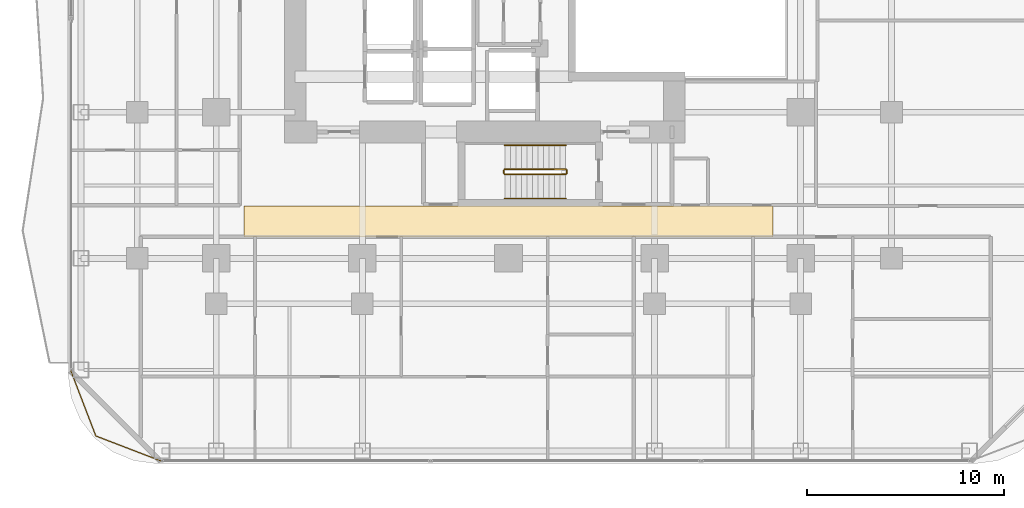
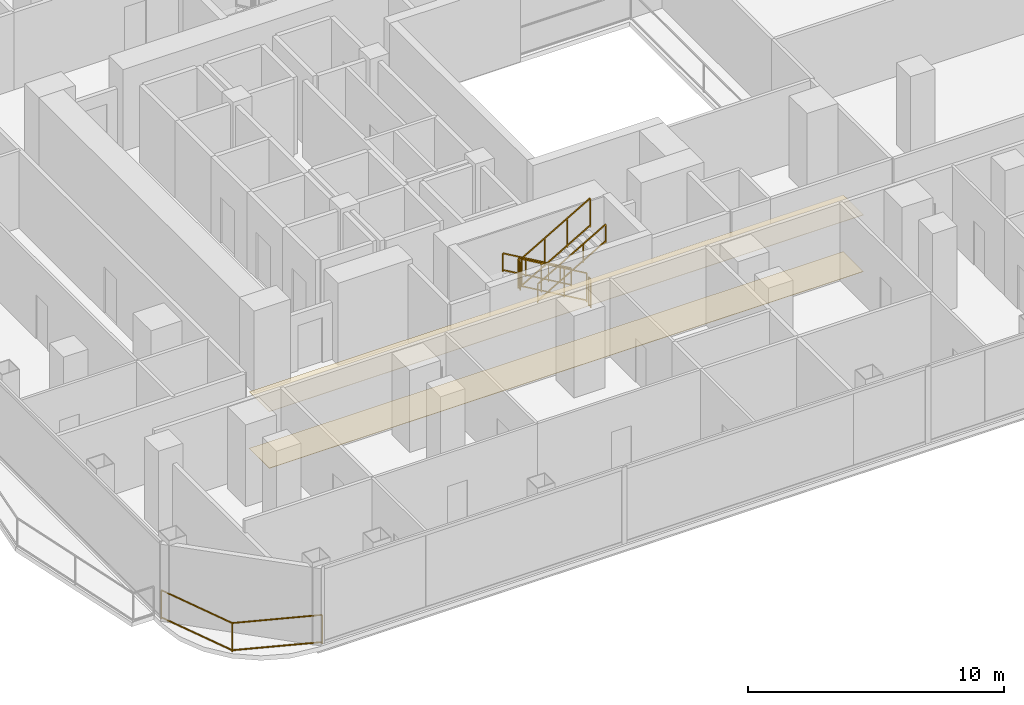
# One storey, part 25 of 27: 7 railings, 2 coverings.
"""IFC4 building model written with IfcOpenShell, lengths in metres."""

from ifc_helpers import new_model, si_unit, direction, frame, origin, origin_2d, place, context, subcontext, project, spatial, polyline, rectangle, outline, extrude, material, layer, layer_set, type_object, element, save


model = new_model("IFC4")

# Units and contexts
model_context = context("Model", 3, precision=1e-05, world=origin(), true_north=direction((0.0, 1.0)))
body_context = subcontext(model_context, "Body", "Model", "MODEL_VIEW")
ifc_project = project(units=[si_unit("LENGTHUNIT", "METRE"), si_unit("AREAUNIT", "SQUARE_METRE"), si_unit("VOLUMEUNIT", "CUBIC_METRE"), si_unit("PLANEANGLEUNIT", "RADIAN"), si_unit("MASSUNIT", "GRAM", prefix="KILO")], contexts=[model_context])

# Site, building, storey
site_placement = place(None, origin())
site = spatial("IfcSite", under=ifc_project, at=site_placement, CompositionType="ELEMENT")
building_placement = place(site_placement, origin())
building = spatial("IfcBuilding", under=site, at=building_placement, Name="Khorvyn Point Tower", CompositionType="ELEMENT")
storey_placement = place(building_placement, frame((0.0, 0.0, 46.199951171875)))
storey = spatial("IfcBuildingStorey", under=building, at=storey_placement, Name="L12", CompositionType="ELEMENT", Elevation=46.199951171875)

# Railing
ifc_material_1 = material(Name="Anodised aluminium 6063-T6 and laminated safety glass", Category="aluminium")
railing_type_1 = type_object("IfcRailingType", Name="Laminated Glass and Aluminium Balcony Guardrail 1400", PredefinedType="BALUSTRADE", material=ifc_material_1)
railing_1_placement = place(storey_placement, frame((-22.174072265625, -20.470703125, 0.0)))
element("IfcRailing", 1, at=railing_1_placement, inside=storey, type_object=railing_type_1, Name="L12 Rounded Corner Edge Guardrail SW", PredefinedType="BALUSTRADE", context=body_context, shape_type="SweptSolid", body=[
    extrude(rectangle(XDim=0.048095703125, YDim=0.048095703125, at=origin_2d()), frame((0.0, 0.0, 1.3759765625), z_axis=(0.358359142172, -0.933583807283, 0.0), x_axis=(0.933583807283, 0.358359142172, 0.0)), (0.0, 0.0, 1.0), 3.56298828125),
    extrude(rectangle(XDim=0.048095703125, YDim=0.048095703125, at=origin_2d()), frame((0.0, 0.0, 0.080078125), z_axis=(0.358359142172, -0.933583807283, 0.0), x_axis=(0.933583807283, 0.358359142172, 0.0)), (0.0, 0.0, 1.0), 3.56298828125),
    extrude(rectangle(XDim=0.048095703125, YDim=0.048095703125, at=origin_2d()), frame((1.27685546875, -3.326416015625, 1.3759765625), z_axis=(0.933583807283, -0.358359142172, 0.0), x_axis=(0.358359142172, 0.933583807283, 0.0)), (0.0, 0.0, 1.0), 3.56298828125),
    extrude(rectangle(XDim=0.048095703125, YDim=0.048095703125, at=origin_2d()), frame((1.27685546875, -3.326416015625, 0.080078125), z_axis=(0.933583807283, -0.358359142172, 0.0), x_axis=(0.358359142172, 0.933583807283, 0.0)), (0.0, 0.0, 1.0), 3.56298828125),
    extrude(rectangle(XDim=0.0419921875, YDim=0.0419921875, at=origin_2d()), origin(), (0.0, 0.0, 1.0), 1.351806640625),
    extrude(rectangle(XDim=0.0419921875, YDim=0.0419921875, at=origin_2d()), frame((1.27685546875, -3.326416015625, 0.0)), (0.0, 0.0, 1.0), 1.351806640625),
    extrude(rectangle(XDim=0.0419921875, YDim=0.0419921875, at=origin_2d()), frame((4.603271484375, -4.603271484375, 0.0)), (0.0, 0.0, 1.0), 1.351806640625),
])

# Coverings
ifc_material_2 = material(Name="Mineral-fibre acoustic ceiling board", Category="gypsum")
ifc_layer_1 = layer(ifc_material_2, 0.02001953125)
ifc_layer_set_1 = layer_set([ifc_layer_1], Name="Perforated Mineral-Fibre Acoustic Suspended Ceiling 20")
covering_type_1 = type_object("IfcCoveringType", Name="Perforated Mineral-Fibre Acoustic Suspended Ceiling 20", PredefinedType="CEILING", material=ifc_layer_set_1)
covering_1_placement = place(storey_placement, frame((0.0, 0.0, 2.699951171875)))
element("IfcCovering", 2, at=covering_1_placement, inside=storey, type_object=covering_type_1, Name="L12 South Corridor Acoustic Ceiling", PredefinedType="CEILING", context=body_context, shape_type="SweptSolid", body=[
    extrude(outline(polyline([(-13.39990234375, -13.7099609375), (13.39990234375, -13.7099609375), (13.39990234375, -12.139892578125), (-13.39990234375, -12.139892578125), (-13.39990234375, -13.7099609375)])), origin(), (0.0, 0.0, 1.0), 0.02001953125),
])
ifc_material_3 = material(Name="Vitrified porcelain terrazzo tile", Category="ceramic")
ifc_layer_2 = layer(ifc_material_3, 0.01806640625)
ifc_layer_set_2 = layer_set([ifc_layer_2], Name="Porcelain Terrazzo Corridor Floor Finish Tile 18")
covering_type_2 = type_object("IfcCoveringType", Name="Porcelain Terrazzo Corridor Floor Finish Tile 18", PredefinedType="FLOORING", material=ifc_layer_set_2)
covering_2_placement = place(storey_placement, origin())
element("IfcCovering", 3, at=covering_2_placement, inside=storey, type_object=covering_type_2, Name="L12 South Corridor Terrazzo Flooring", PredefinedType="FLOORING", context=body_context, shape_type="SweptSolid", body=[
    extrude(outline(polyline([(-13.39990234375, -13.7099609375), (13.39990234375, -13.7099609375), (13.39990234375, -12.139892578125), (-13.39990234375, -12.139892578125), (-13.39990234375, -13.7099609375)])), origin(), (0.0, 0.0, 1.0), 0.01806640625),
])

# Railings
ifc_material_4 = material(Name="Stainless steel 1.4301", Category="steel")
railing_type_2 = type_object("IfcRailingType", Name="Stainless Steel 304 Stair Pitch Handrail 900", PredefinedType="HANDRAIL", material=ifc_material_4)
railing_2_placement = place(storey_placement, frame((2.89990234375, -9.070068359375, 0.16259765625)))
element("IfcRailing", 4, at=railing_2_placement, inside=storey, type_object=railing_type_2, Name="L12 ST-01 stair handrail 1", PredefinedType="HANDRAIL", context=body_context, shape_type="SweptSolid", body=[
    extrude(rectangle(XDim=0.048095703125, YDim=0.048095703125, at=origin_2d()), frame((0.0, 0.0, 0.8759765625), z_axis=(-0.864903211148, 0.0, 0.501938676878), x_axis=(0.0, -1.0, 0.0)), (0.0, 0.0, 1.0), 3.560791015625),
    extrude(rectangle(XDim=0.048095703125, YDim=0.048095703125, at=origin_2d()), frame((0.0, 0.0, 0.080078125), z_axis=(-0.864903211148, 0.0, 0.501938676878), x_axis=(0.0, -1.0, 0.0)), (0.0, 0.0, 1.0), 3.560791015625),
    extrude(rectangle(XDim=0.0419921875, YDim=0.0419921875, at=origin_2d()), origin(), (0.0, 0.0, 1.0), 0.851806640625),
    extrude(rectangle(XDim=0.0419921875, YDim=0.0419921875, at=origin_2d()), frame((-1.026611328125, 0.0, 0.595703125)), (0.0, 0.0, 1.0), 0.851806640625),
    extrude(rectangle(XDim=0.0419921875, YDim=0.0419921875, at=origin_2d()), frame((-2.05322265625, 0.0, 1.191650390625)), (0.0, 0.0, 1.0), 0.851806640625),
    extrude(rectangle(XDim=0.0419921875, YDim=0.0419921875, at=origin_2d()), frame((-3.079833984375, 0.0, 1.787353515625)), (0.0, 0.0, 1.0), 0.851806640625),
])
railing_3_placement = place(storey_placement, frame((-0.179931640625, -11.77001953125, 2.112548828125)))
element("IfcRailing", 5, at=railing_3_placement, inside=storey, type_object=railing_type_2, Name="L12 ST-01 stair handrail 2", PredefinedType="HANDRAIL", context=body_context, shape_type="SweptSolid", body=[
    extrude(rectangle(XDim=0.048095703125, YDim=0.048095703125, at=origin_2d()), frame((0.0, 0.0, 0.8759765625), z_axis=(0.864873446163, 0.0, 0.501989962173), x_axis=(0.0, 1.0, 0.0)), (0.0, 0.0, 1.0), 3.56103515625),
    extrude(rectangle(XDim=0.048095703125, YDim=0.048095703125, at=origin_2d()), frame((0.0, 0.0, 0.080078125), z_axis=(0.864873446163, 0.0, 0.501989962173), x_axis=(0.0, 1.0, 0.0)), (0.0, 0.0, 1.0), 3.56103515625),
    extrude(rectangle(XDim=0.0419921875, YDim=0.0419921875, at=origin_2d()), origin(), (0.0, 0.0, 1.0), 0.851806640625),
    extrude(rectangle(XDim=0.0419921875, YDim=0.0419921875, at=origin_2d()), frame((1.026611328125, 0.0, 0.595947265625)), (0.0, 0.0, 1.0), 0.851806640625),
    extrude(rectangle(XDim=0.0419921875, YDim=0.0419921875, at=origin_2d()), frame((2.05322265625, 0.0, 1.191650390625)), (0.0, 0.0, 1.0), 0.851806640625),
    extrude(rectangle(XDim=0.0419921875, YDim=0.0419921875, at=origin_2d()), frame((3.079833984375, 0.0, 1.78759765625)), (0.0, 0.0, 1.0), 0.851806640625),
])
railing_type_3 = type_object("IfcRailingType", Name="Stainless Steel 304 Stair Well Guardrail 1400", PredefinedType="GUARDRAIL", material=ifc_material_4)
railing_4_placement = place(storey_placement, frame((2.89990234375, -10.2900390625, 0.16259765625)))
element("IfcRailing", 6, at=railing_4_placement, inside=storey, type_object=railing_type_3, Name="L12 ST-01 stair guard 1", PredefinedType="GUARDRAIL", context=body_context, shape_type="SweptSolid", body=[
    extrude(rectangle(XDim=0.048095703125, YDim=0.048095703125, at=origin_2d()), frame((0.0, 0.0, 1.3759765625), z_axis=(-0.864903211148, 0.0, 0.501938676878), x_axis=(0.0, -1.0, 0.0)), (0.0, 0.0, 1.0), 3.560791015625),
    extrude(rectangle(XDim=0.048095703125, YDim=0.048095703125, at=origin_2d()), frame((0.0, 0.0, 0.080078125), z_axis=(-0.864903211148, 0.0, 0.501938676878), x_axis=(0.0, -1.0, 0.0)), (0.0, 0.0, 1.0), 3.560791015625),
    extrude(rectangle(XDim=0.0419921875, YDim=0.0419921875, at=origin_2d()), origin(), (0.0, 0.0, 1.0), 1.351806640625),
    extrude(rectangle(XDim=0.0419921875, YDim=0.0419921875, at=origin_2d()), frame((-1.026611328125, 0.0, 0.595703125)), (0.0, 0.0, 1.0), 1.351806640625),
    extrude(rectangle(XDim=0.0419921875, YDim=0.0419921875, at=origin_2d()), frame((-2.05322265625, 0.0, 1.191650390625)), (0.0, 0.0, 1.0), 1.351806640625),
    extrude(rectangle(XDim=0.0419921875, YDim=0.0419921875, at=origin_2d()), frame((-3.079833984375, 0.0, 1.787353515625)), (0.0, 0.0, 1.0), 1.351806640625),
])
railing_5_placement = place(storey_placement, frame((-0.22998046875, -10.340087890625, 1.949951171875)))
element("IfcRailing", 7, at=railing_5_placement, inside=storey, type_object=railing_type_3, Name="L12 ST-01 stair guard 2", PredefinedType="GUARDRAIL", context=body_context, shape_type="SweptSolid", body=[
    extrude(rectangle(XDim=0.048095703125, YDim=0.048095703125, at=origin_2d()), frame((0.0, 0.0, 1.3759765625), z_axis=(0.0, -1.0, 0.0), x_axis=(1.0, 0.0, 0.0)), (0.0, 0.0, 1.0), 0.159912109375),
    extrude(rectangle(XDim=0.048095703125, YDim=0.048095703125, at=origin_2d()), frame((0.0, 0.0, 0.080078125), z_axis=(0.0, -1.0, 0.0), x_axis=(1.0, 0.0, 0.0)), (0.0, 0.0, 1.0), 0.159912109375),
    extrude(rectangle(XDim=0.0419921875, YDim=0.0419921875, at=origin_2d()), origin(), (0.0, 0.0, 1.0), 1.351806640625),
    extrude(rectangle(XDim=0.0419921875, YDim=0.0419921875, at=origin_2d()), frame((0.0, -0.159912109375, 0.0)), (0.0, 0.0, 1.0), 1.351806640625),
])
railing_6_placement = place(storey_placement, frame((-0.179931640625, -10.550048828125, 2.112548828125)))
element("IfcRailing", 8, at=railing_6_placement, inside=storey, type_object=railing_type_3, Name="L12 ST-01 stair guard 3", PredefinedType="GUARDRAIL", context=body_context, shape_type="SweptSolid", body=[
    extrude(rectangle(XDim=0.048095703125, YDim=0.048095703125, at=origin_2d()), frame((0.0, 0.0, 1.3759765625), z_axis=(0.864873446163, 0.0, 0.501989962173), x_axis=(0.0, 1.0, 0.0)), (0.0, 0.0, 1.0), 3.56103515625),
    extrude(rectangle(XDim=0.048095703125, YDim=0.048095703125, at=origin_2d()), frame((0.0, 0.0, 0.080078125), z_axis=(0.864873446163, 0.0, 0.501989962173), x_axis=(0.0, 1.0, 0.0)), (0.0, 0.0, 1.0), 3.56103515625),
    extrude(rectangle(XDim=0.0419921875, YDim=0.0419921875, at=origin_2d()), origin(), (0.0, 0.0, 1.0), 1.351806640625),
    extrude(rectangle(XDim=0.0419921875, YDim=0.0419921875, at=origin_2d()), frame((1.026611328125, 0.0, 0.595947265625)), (0.0, 0.0, 1.0), 1.351806640625),
    extrude(rectangle(XDim=0.0419921875, YDim=0.0419921875, at=origin_2d()), frame((2.05322265625, 0.0, 1.191650390625)), (0.0, 0.0, 1.0), 1.351806640625),
    extrude(rectangle(XDim=0.0419921875, YDim=0.0419921875, at=origin_2d()), frame((3.079833984375, 0.0, 1.78759765625)), (0.0, 0.0, 1.0), 1.351806640625),
])
railing_7_placement = place(storey_placement, frame((2.949951171875, -10.340087890625, 0.0)))
element("IfcRailing", 9, at=railing_7_placement, inside=storey, type_object=railing_type_3, Name="L12 ST-01 stair guard 4", PredefinedType="GUARDRAIL", context=body_context, shape_type="SweptSolid", body=[
    extrude(rectangle(XDim=0.048095703125, YDim=0.048095703125, at=origin_2d()), frame((0.0, 0.0, 1.3759765625), z_axis=(0.0, -1.0, 0.0), x_axis=(1.0, 0.0, 0.0)), (0.0, 0.0, 1.0), 0.159912109375),
    extrude(rectangle(XDim=0.048095703125, YDim=0.048095703125, at=origin_2d()), frame((0.0, 0.0, 0.080078125), z_axis=(0.0, -1.0, 0.0), x_axis=(1.0, 0.0, 0.0)), (0.0, 0.0, 1.0), 0.159912109375),
    extrude(rectangle(XDim=0.0419921875, YDim=0.0419921875, at=origin_2d()), origin(), (0.0, 0.0, 1.0), 1.351806640625),
    extrude(rectangle(XDim=0.0419921875, YDim=0.0419921875, at=origin_2d()), frame((0.0, -0.159912109375, 0.0)), (0.0, 0.0, 1.0), 1.351806640625),
])

save(model, "model.ifc")
